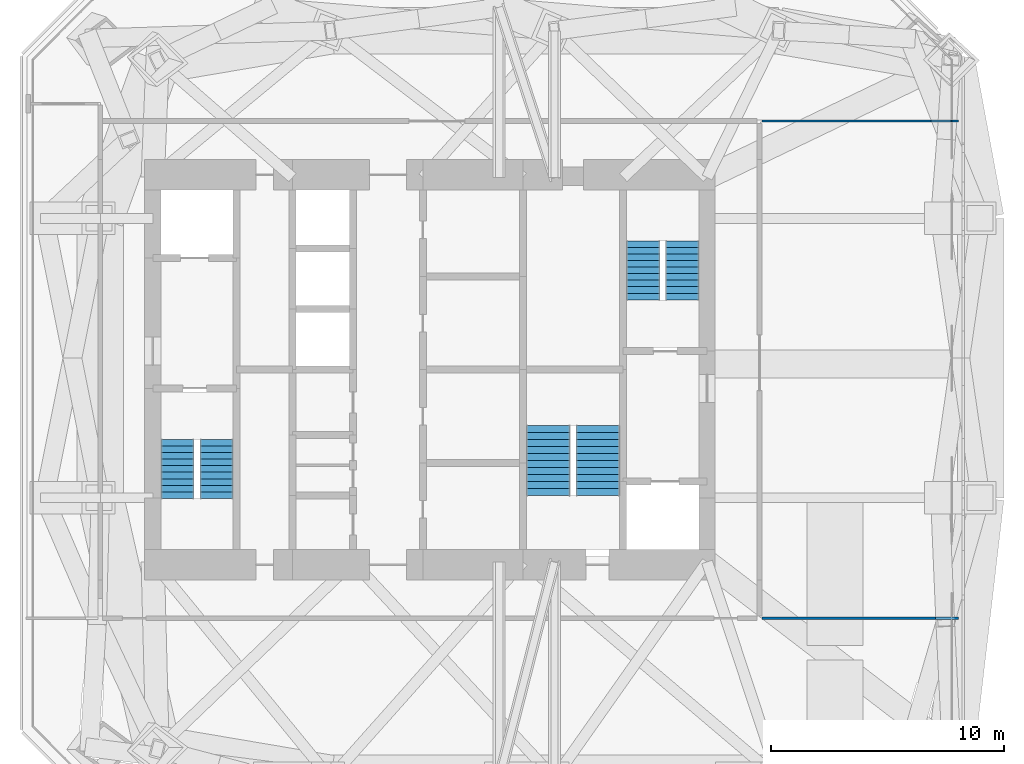
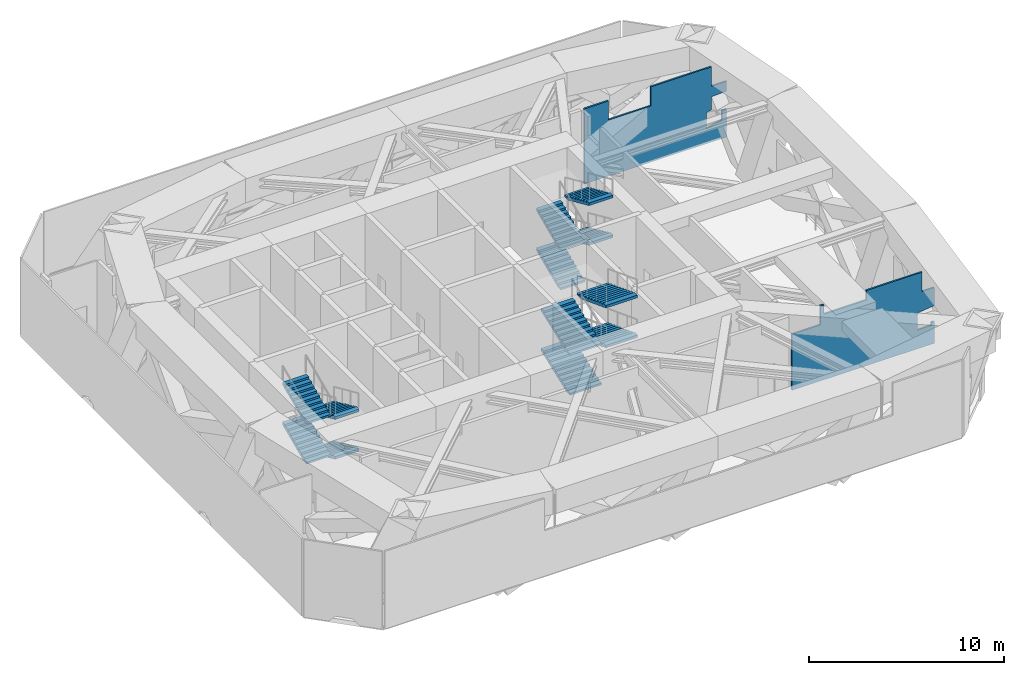
# One storey, part 6 of 9: 12 stair flights, 2 walls, 3 elements without a shape of their own.
"""IFC4 building model written with IfcOpenShell, lengths in metres."""

from ifc_helpers import new_model, si_unit, direction, frame, origin, place, context, subcontext, project, spatial, polyline, outline, extrude, material, constituent, constituent_set, type_object, element, aggregate, save


model = new_model("IFC4")

# Units and contexts
model_context = context("Model", 3, precision=1e-05, world=origin(), true_north=direction((0.0, 1.0)))
body_context = subcontext(model_context, "Body", "Model", "MODEL_VIEW")
ifc_project = project(units=[si_unit("LENGTHUNIT", "METRE"), si_unit("AREAUNIT", "SQUARE_METRE"), si_unit("VOLUMEUNIT", "CUBIC_METRE"), si_unit("PLANEANGLEUNIT", "RADIAN"), si_unit("MASSUNIT", "GRAM", prefix="KILO")], contexts=[model_context])

# Site, building, storey
site_placement = place(None, origin())
site = spatial("IfcSite", under=ifc_project, at=site_placement, CompositionType="ELEMENT")
building_placement = place(site_placement, origin())
building = spatial("IfcBuilding", under=site, at=building_placement, Name="Jalousie Tower", CompositionType="ELEMENT")
storey_placement = place(building_placement, frame((0.0, 0.0, 212.949951171875)))
storey = spatial("IfcBuildingStorey", under=building, at=storey_placement, Name="L58", CompositionType="ELEMENT", Elevation=212.949951171875)

# Walls
ifc_material_1 = material(Name="Gypsum board", Category="gypsum")
ifc_constituent_1 = constituent(ifc_material_1, Name="Body")
ifc_material_2 = material(Name="Light-gauge steel studs ASTM A653 SS Grade 33", Category="steel")
ifc_constituent_2 = constituent(ifc_material_2, Name="Framing")
ifc_constituent_set = constituent_set(constituents=[ifc_constituent_1, ifc_constituent_2])
wall_type = type_object("IfcWallType", Name="PARTITION 100", PredefinedType="PARTITIONING", material=ifc_constituent_set)
wall_1_placement = place(storey_placement, frame((46.14990234375, 7.824951171875, 0.0), z_axis=(0.0, 0.0, 1.0), x_axis=(1.0, 0.0, 0.0)))
element("IfcWall", 1, at=wall_1_placement, inside=storey, type_object=wall_type, Name="Partition 100 L58", PredefinedType="PARTITIONING", context=body_context, shape_type="SweptSolid", body=[
    extrude(outline(polyline([(1.70068359375, 3.52001953125), (0.0, 3.52001953125), (0.0, 0.0), (8.449951171875, 0.0), (8.449951171875, 1.3681640625), (8.2822265625, 1.3681640625), (8.2822265625, 1.244140625), (8.277099609375, 1.188232421875), (7.457275390625, 1.172119140625), (7.457275390625, 2.064697265625), (7.460205078125, 2.09814453125), (7.460205078125, 2.1064453125), (7.46142578125, 2.119384765625), (7.49169921875, 2.119873046875), (7.49169921875, 2.19873046875), (7.524169921875, 2.251953125), (8.371826171875, 2.35595703125), (8.449951171875, 2.35595703125), (8.449951171875, 3.5), (7.72998046875, 3.5), (7.72998046875, 4.719970703125), (4.409912109375, 4.719970703125), (4.409912109375, 4.1201171875), (1.889892578125, 4.1201171875), (1.889892578125, 4.719970703125), (1.70068359375, 4.719970703125), (1.70068359375, 3.52001953125)])), frame((0.0, 0.050048828125, 0.0), z_axis=(0.0, -1.0, 0.0), x_axis=(1.0, 0.0, 0.0)), (0.0, 0.0, 1.0), 0.10009765625),
])
wall_2_placement = place(storey_placement, frame((46.14990234375, 29.175048828125, 0.0), z_axis=(0.0, 0.0, 1.0), x_axis=(1.0, 0.0, 0.0)))
element("IfcWall", 2, at=wall_2_placement, inside=storey, type_object=wall_type, Name="Partition 100 L58", PredefinedType="PARTITIONING", context=body_context, shape_type="SweptSolid", body=[
    extrude(outline(polyline([(1.4375, 4.719970703125), (0.0, 4.719970703125), (0.0, 0.0), (8.449951171875, 0.0), (8.449951171875, 1.751220703125), (8.17626953125, 1.751220703125), (8.17626953125, 1.208251953125), (8.13330078125, 1.13720703125), (7.25732421875, 0.94384765625), (7.25732421875, 1.8935546875), (7.30029296875, 1.96435546875), (7.5556640625, 2.020751953125), (7.5556640625, 2.756103515625), (7.56298828125, 2.839111328125), (8.384033203125, 2.879150390625), (8.449951171875, 2.879150390625), (8.449951171875, 3.5), (7.54931640625, 3.5), (7.54931640625, 4.719970703125), (3.9541015625, 4.719970703125), (3.9541015625, 3.52001953125), (1.4375, 3.52001953125), (1.4375, 4.719970703125)])), frame((0.0, 0.050048828125, 0.0), z_axis=(0.0, -1.0, 0.0), x_axis=(1.0, 0.0, 0.0)), (0.0, 0.0, 1.0), 0.10009765625),
])

# Stair, stair flights
ifc_material_3 = material(Name="Concrete f'c 40 MPa", Category="concrete")
stair_type = type_object("IfcStairType", Name="EXIT STAIR", PredefinedType="HALF_TURN_STAIR", material=ifc_material_3)
stair_1_placement = place(storey_placement, origin())
stair_1 = element("IfcStair", 3, at=stair_1_placement, inside=storey, type_object=stair_type, Name="Exit stair A L58", PredefinedType="HALF_TURN_STAIR")
ifc_material_4 = material(Name="Concrete f'c 40 MPa", Category="concrete")
stair_flight_type = type_object("IfcStairFlightType", Name="STAIR FLIGHT", PredefinedType="STRAIGHT", material=ifc_material_4)
stair_flight_1_placement = place(storey_placement, frame((22.737548828125, 15.49755859375, 0.0), z_axis=(0.0, 0.0, 1.0), x_axis=(0.0, -1.0, 0.0)))
stair_flight_1 = element("IfcStairFlight", 4, at=stair_flight_1_placement, type_object=stair_flight_type, Name="ST-A flight 1", NumberOfRisers=10, NumberOfTreads=9, PredefinedType="STRAIGHT", RiserHeight=0.125, TreadLength=0.28, context=body_context, shape_type="SweptSolid", body=[
    extrude(outline(polyline([(0.0, 0.0), (0.0, 0.125), (0.280029296875, 0.125), (0.280029296875, 0.25), (0.56005859375, 0.25), (0.56005859375, 0.375), (0.840087890625, 0.375), (0.840087890625, 0.5), (1.1201171875, 0.5), (1.1201171875, 0.625), (1.39990234375, 0.625), (1.39990234375, 0.75), (1.679931640625, 0.75), (1.679931640625, 0.875), (1.9599609375, 0.875), (1.9599609375, 1.0), (2.239990234375, 1.0), (2.239990234375, 1.125), (2.52001953125, 1.125), (2.52001953125, 1.25), (2.52001953125, 0.9609375), (0.36767578125, 0.0), (0.0, 0.0)])), frame((0.0, 0.71240234375, 0.0), z_axis=(0.0, -1.0, 0.0), x_axis=(1.0, 0.0, 0.0)), (0.0, 0.0, 1.0), 1.425048828125),
])
stair_flight_2_placement = place(storey_placement, frame((21.0625, 12.9775390625, 1.25), z_axis=(0.0, 0.0, 1.0), x_axis=(0.0, 1.0, 0.0)))
stair_flight_2 = element("IfcStairFlight", 5, at=stair_flight_2_placement, type_object=stair_flight_type, Name="ST-A flight 2", NumberOfRisers=10, NumberOfTreads=9, PredefinedType="STRAIGHT", RiserHeight=0.125, TreadLength=0.28, context=body_context, shape_type="SweptSolid", body=[
    extrude(outline(polyline([(0.0, 0.0), (0.0, 0.125), (0.280029296875, 0.125), (0.280029296875, 0.25), (0.56005859375, 0.25), (0.56005859375, 0.375), (0.840087890625, 0.375), (0.840087890625, 0.5), (1.1201171875, 0.5), (1.1201171875, 0.625), (1.39990234375, 0.625), (1.39990234375, 0.75), (1.679931640625, 0.75), (1.679931640625, 0.875), (1.9599609375, 0.875), (1.9599609375, 1.0), (2.239990234375, 1.0), (2.239990234375, 1.125), (2.52001953125, 1.125), (2.52001953125, 1.25), (2.52001953125, 0.9609375), (0.36767578125, 0.0), (0.0, 0.0)])), frame((0.0, 0.71240234375, 0.0), z_axis=(0.0, -1.0, 0.0), x_axis=(1.0, 0.0, 0.0)), (0.0, 0.0, 1.0), 1.425048828125),
])
stair_flight_3_placement = place(storey_placement, frame((22.737548828125, 15.49755859375, 2.5), z_axis=(0.0, 0.0, 1.0), x_axis=(0.0, -1.0, 0.0)))
stair_flight_3 = element("IfcStairFlight", 6, at=stair_flight_3_placement, type_object=stair_flight_type, Name="ST-A flight 3", NumberOfRisers=10, NumberOfTreads=9, PredefinedType="STRAIGHT", RiserHeight=0.125, TreadLength=0.28, context=body_context, shape_type="SweptSolid", body=[
    extrude(outline(polyline([(0.0, 0.0), (0.0, 0.125), (0.280029296875, 0.125), (0.280029296875, 0.25), (0.56005859375, 0.25), (0.56005859375, 0.375), (0.840087890625, 0.375), (0.840087890625, 0.5), (1.1201171875, 0.5), (1.1201171875, 0.625), (1.39990234375, 0.625), (1.39990234375, 0.75), (1.679931640625, 0.75), (1.679931640625, 0.875), (1.9599609375, 0.875), (1.9599609375, 1.0), (2.239990234375, 1.0), (2.239990234375, 1.125), (2.52001953125, 1.125), (2.52001953125, 1.25), (2.52001953125, 0.9609375), (0.36767578125, 0.0), (0.0, 0.0)])), frame((0.0, 0.71240234375, 0.0), z_axis=(0.0, -1.0, 0.0), x_axis=(1.0, 0.0, 0.0)), (0.0, 0.0, 1.0), 1.425048828125),
])
stair_flight_4_placement = place(storey_placement, frame((21.0625, 12.9775390625, 3.75), z_axis=(0.0, 0.0, 1.0), x_axis=(0.0, 1.0, 0.0)))
stair_flight_4 = element("IfcStairFlight", 7, at=stair_flight_4_placement, type_object=stair_flight_type, Name="ST-A flight 4", NumberOfRisers=10, NumberOfTreads=9, PredefinedType="STRAIGHT", RiserHeight=0.125, TreadLength=0.28, context=body_context, shape_type="SweptSolid", body=[
    extrude(outline(polyline([(0.0, 0.0), (0.0, 0.125), (0.280029296875, 0.125), (0.280029296875, 0.25), (0.56005859375, 0.25), (0.56005859375, 0.375), (0.840087890625, 0.375), (0.840087890625, 0.5), (1.1201171875, 0.5), (1.1201171875, 0.625), (1.39990234375, 0.625), (1.39990234375, 0.75), (1.679931640625, 0.75), (1.679931640625, 0.875), (1.9599609375, 0.875), (1.9599609375, 1.0), (2.239990234375, 1.0), (2.239990234375, 1.125), (2.52001953125, 1.125), (2.52001953125, 1.25), (2.52001953125, 0.9609375), (0.36767578125, 0.0), (0.0, 0.0)])), frame((0.0, 0.71240234375, 0.0), z_axis=(0.0, -1.0, 0.0), x_axis=(1.0, 0.0, 0.0)), (0.0, 0.0, 1.0), 1.425048828125),
])
aggregate(stair_1, [stair_flight_1, stair_flight_2, stair_flight_3, stair_flight_4])

stair_2_placement = place(storey_placement, origin())
stair_2 = element("IfcStair", 8, at=stair_2_placement, inside=storey, type_object=stair_type, Name="Exit stair B L58", PredefinedType="HALF_TURN_STAIR")
stair_flight_5_placement = place(storey_placement, frame((41.0625, 21.50244140625, 0.0), z_axis=(0.0, 0.0, 1.0), x_axis=(0.0, 1.0, 0.0)))
stair_flight_5 = element("IfcStairFlight", 9, at=stair_flight_5_placement, type_object=stair_flight_type, Name="ST-B flight 1", NumberOfRisers=10, NumberOfTreads=9, PredefinedType="STRAIGHT", RiserHeight=0.125, TreadLength=0.28, context=body_context, shape_type="SweptSolid", body=[
    extrude(outline(polyline([(0.0, 0.0), (0.0, 0.125), (0.280029296875, 0.125), (0.280029296875, 0.25), (0.56005859375, 0.25), (0.56005859375, 0.375), (0.840087890625, 0.375), (0.840087890625, 0.5), (1.1201171875, 0.5), (1.1201171875, 0.625), (1.39990234375, 0.625), (1.39990234375, 0.75), (1.679931640625, 0.75), (1.679931640625, 0.875), (1.9599609375, 0.875), (1.9599609375, 1.0), (2.239990234375, 1.0), (2.239990234375, 1.125), (2.52001953125, 1.125), (2.52001953125, 1.25), (2.52001953125, 0.9609375), (0.36767578125, 0.0), (0.0, 0.0)])), frame((0.0, 0.71240234375, 0.0), z_axis=(0.0, -1.0, 0.0), x_axis=(1.0, 0.0, 0.0)), (0.0, 0.0, 1.0), 1.425048828125),
])
stair_flight_6_placement = place(storey_placement, frame((42.737548828125, 24.0224609375, 1.25), z_axis=(0.0, 0.0, 1.0), x_axis=(0.0, -1.0, 0.0)))
stair_flight_6 = element("IfcStairFlight", 10, at=stair_flight_6_placement, type_object=stair_flight_type, Name="ST-B flight 2", NumberOfRisers=10, NumberOfTreads=9, PredefinedType="STRAIGHT", RiserHeight=0.125, TreadLength=0.28, context=body_context, shape_type="SweptSolid", body=[
    extrude(outline(polyline([(0.0, 0.0), (0.0, 0.125), (0.280029296875, 0.125), (0.280029296875, 0.25), (0.56005859375, 0.25), (0.56005859375, 0.375), (0.840087890625, 0.375), (0.840087890625, 0.5), (1.1201171875, 0.5), (1.1201171875, 0.625), (1.39990234375, 0.625), (1.39990234375, 0.75), (1.679931640625, 0.75), (1.679931640625, 0.875), (1.9599609375, 0.875), (1.9599609375, 1.0), (2.239990234375, 1.0), (2.239990234375, 1.125), (2.52001953125, 1.125), (2.52001953125, 1.25), (2.52001953125, 0.9609375), (0.36767578125, 0.0), (0.0, 0.0)])), frame((0.0, 0.71240234375, 0.0), z_axis=(0.0, -1.0, 0.0), x_axis=(1.0, 0.0, 0.0)), (0.0, 0.0, 1.0), 1.425048828125),
])
stair_flight_7_placement = place(storey_placement, frame((41.0625, 21.50244140625, 2.5), z_axis=(0.0, 0.0, 1.0), x_axis=(0.0, 1.0, 0.0)))
stair_flight_7 = element("IfcStairFlight", 11, at=stair_flight_7_placement, type_object=stair_flight_type, Name="ST-B flight 3", NumberOfRisers=10, NumberOfTreads=9, PredefinedType="STRAIGHT", RiserHeight=0.125, TreadLength=0.28, context=body_context, shape_type="SweptSolid", body=[
    extrude(outline(polyline([(0.0, 0.0), (0.0, 0.125), (0.280029296875, 0.125), (0.280029296875, 0.25), (0.56005859375, 0.25), (0.56005859375, 0.375), (0.840087890625, 0.375), (0.840087890625, 0.5), (1.1201171875, 0.5), (1.1201171875, 0.625), (1.39990234375, 0.625), (1.39990234375, 0.75), (1.679931640625, 0.75), (1.679931640625, 0.875), (1.9599609375, 0.875), (1.9599609375, 1.0), (2.239990234375, 1.0), (2.239990234375, 1.125), (2.52001953125, 1.125), (2.52001953125, 1.25), (2.52001953125, 0.9609375), (0.36767578125, 0.0), (0.0, 0.0)])), frame((0.0, 0.71240234375, 0.0), z_axis=(0.0, -1.0, 0.0), x_axis=(1.0, 0.0, 0.0)), (0.0, 0.0, 1.0), 1.425048828125),
])
stair_flight_8_placement = place(storey_placement, frame((42.737548828125, 24.0224609375, 3.75), z_axis=(0.0, 0.0, 1.0), x_axis=(0.0, -1.0, 0.0)))
stair_flight_8 = element("IfcStairFlight", 12, at=stair_flight_8_placement, type_object=stair_flight_type, Name="ST-B flight 4", NumberOfRisers=10, NumberOfTreads=9, PredefinedType="STRAIGHT", RiserHeight=0.125, TreadLength=0.28, context=body_context, shape_type="SweptSolid", body=[
    extrude(outline(polyline([(0.0, 0.0), (0.0, 0.125), (0.280029296875, 0.125), (0.280029296875, 0.25), (0.56005859375, 0.25), (0.56005859375, 0.375), (0.840087890625, 0.375), (0.840087890625, 0.5), (1.1201171875, 0.5), (1.1201171875, 0.625), (1.39990234375, 0.625), (1.39990234375, 0.75), (1.679931640625, 0.75), (1.679931640625, 0.875), (1.9599609375, 0.875), (1.9599609375, 1.0), (2.239990234375, 1.0), (2.239990234375, 1.125), (2.52001953125, 1.125), (2.52001953125, 1.25), (2.52001953125, 0.9609375), (0.36767578125, 0.0), (0.0, 0.0)])), frame((0.0, 0.71240234375, 0.0), z_axis=(0.0, -1.0, 0.0), x_axis=(1.0, 0.0, 0.0)), (0.0, 0.0, 1.0), 1.425048828125),
])
aggregate(stair_2, [stair_flight_5, stair_flight_6, stair_flight_7, stair_flight_8])

stair_3_placement = place(storey_placement, origin())
stair_3 = element("IfcStair", 13, at=stair_3_placement, inside=storey, type_object=stair_type, Name="Exit stair C L58", PredefinedType="HALF_TURN_STAIR")
stair_flight_9_placement = place(storey_placement, frame((36.987548828125, 13.097412109375, 0.0), z_axis=(0.0, 0.0, 1.0), x_axis=(0.0, 1.0, 0.0)))
stair_flight_9 = element("IfcStairFlight", 14, at=stair_flight_9_placement, type_object=stair_flight_type, Name="ST-C flight 1", NumberOfRisers=11, NumberOfTreads=10, PredefinedType="STRAIGHT", RiserHeight=0.113636364, TreadLength=0.3, context=body_context, shape_type="SweptSolid", body=[
    extrude(outline(polyline([(0.0, 0.0), (0.0, 0.113525390625), (0.300048828125, 0.113525390625), (0.300048828125, 0.227294921875), (0.60009765625, 0.227294921875), (0.60009765625, 0.3408203125), (0.89990234375, 0.3408203125), (0.89990234375, 0.45458984375), (1.199951171875, 0.45458984375), (1.199951171875, 0.568115234375), (1.5, 0.568115234375), (1.5, 0.681884765625), (1.800048828125, 0.681884765625), (1.800048828125, 0.79541015625), (2.10009765625, 0.79541015625), (2.10009765625, 0.9091796875), (2.39990234375, 0.9091796875), (2.39990234375, 1.022705078125), (2.699951171875, 1.022705078125), (2.699951171875, 1.136474609375), (3.0, 1.136474609375), (3.0, 1.25), (3.0, 0.97607421875), (0.423095703125, 0.0), (0.0, 0.0)])), frame((0.0, 0.9375, 0.0), z_axis=(0.0, -1.0, 0.0), x_axis=(1.0, 0.0, 0.0)), (0.0, 0.0, 1.0), 1.875),
])
stair_flight_10_placement = place(storey_placement, frame((39.112548828125, 16.097412109375, 1.25), z_axis=(0.0, 0.0, 1.0), x_axis=(0.0, -1.0, 0.0)))
stair_flight_10 = element("IfcStairFlight", 15, at=stair_flight_10_placement, type_object=stair_flight_type, Name="ST-C flight 2", NumberOfRisers=11, NumberOfTreads=10, PredefinedType="STRAIGHT", RiserHeight=0.113636364, TreadLength=0.3, context=body_context, shape_type="SweptSolid", body=[
    extrude(outline(polyline([(0.0, 0.0), (0.0, 0.113525390625), (0.300048828125, 0.113525390625), (0.300048828125, 0.227294921875), (0.60009765625, 0.227294921875), (0.60009765625, 0.3408203125), (0.89990234375, 0.3408203125), (0.89990234375, 0.45458984375), (1.199951171875, 0.45458984375), (1.199951171875, 0.568115234375), (1.5, 0.568115234375), (1.5, 0.681884765625), (1.800048828125, 0.681884765625), (1.800048828125, 0.79541015625), (2.10009765625, 0.79541015625), (2.10009765625, 0.9091796875), (2.39990234375, 0.9091796875), (2.39990234375, 1.022705078125), (2.699951171875, 1.022705078125), (2.699951171875, 1.136474609375), (3.0, 1.136474609375), (3.0, 1.25), (3.0, 0.97607421875), (0.423095703125, 0.0), (0.0, 0.0)])), frame((0.0, 0.9375, 0.0), z_axis=(0.0, -1.0, 0.0), x_axis=(1.0, 0.0, 0.0)), (0.0, 0.0, 1.0), 1.875),
])
stair_flight_11_placement = place(storey_placement, frame((36.987548828125, 13.097412109375, 2.5), z_axis=(0.0, 0.0, 1.0), x_axis=(0.0, 1.0, 0.0)))
stair_flight_11 = element("IfcStairFlight", 16, at=stair_flight_11_placement, type_object=stair_flight_type, Name="ST-C flight 3", NumberOfRisers=11, NumberOfTreads=10, PredefinedType="STRAIGHT", RiserHeight=0.113636364, TreadLength=0.3, context=body_context, shape_type="SweptSolid", body=[
    extrude(outline(polyline([(0.0, 0.0), (0.0, 0.113525390625), (0.300048828125, 0.113525390625), (0.300048828125, 0.227294921875), (0.60009765625, 0.227294921875), (0.60009765625, 0.3408203125), (0.89990234375, 0.3408203125), (0.89990234375, 0.45458984375), (1.199951171875, 0.45458984375), (1.199951171875, 0.568115234375), (1.5, 0.568115234375), (1.5, 0.681884765625), (1.800048828125, 0.681884765625), (1.800048828125, 0.79541015625), (2.10009765625, 0.79541015625), (2.10009765625, 0.9091796875), (2.39990234375, 0.9091796875), (2.39990234375, 1.022705078125), (2.699951171875, 1.022705078125), (2.699951171875, 1.136474609375), (3.0, 1.136474609375), (3.0, 1.25), (3.0, 0.97607421875), (0.423095703125, 0.0), (0.0, 0.0)])), frame((0.0, 0.9375, 0.0), z_axis=(0.0, -1.0, 0.0), x_axis=(1.0, 0.0, 0.0)), (0.0, 0.0, 1.0), 1.875),
])
stair_flight_12_placement = place(storey_placement, frame((39.112548828125, 16.097412109375, 3.75), z_axis=(0.0, 0.0, 1.0), x_axis=(0.0, -1.0, 0.0)))
stair_flight_12 = element("IfcStairFlight", 17, at=stair_flight_12_placement, type_object=stair_flight_type, Name="ST-C flight 4", NumberOfRisers=11, NumberOfTreads=10, PredefinedType="STRAIGHT", RiserHeight=0.113636364, TreadLength=0.3, context=body_context, shape_type="SweptSolid", body=[
    extrude(outline(polyline([(0.0, 0.0), (0.0, 0.113525390625), (0.300048828125, 0.113525390625), (0.300048828125, 0.227294921875), (0.60009765625, 0.227294921875), (0.60009765625, 0.3408203125), (0.89990234375, 0.3408203125), (0.89990234375, 0.45458984375), (1.199951171875, 0.45458984375), (1.199951171875, 0.568115234375), (1.5, 0.568115234375), (1.5, 0.681884765625), (1.800048828125, 0.681884765625), (1.800048828125, 0.79541015625), (2.10009765625, 0.79541015625), (2.10009765625, 0.9091796875), (2.39990234375, 0.9091796875), (2.39990234375, 1.022705078125), (2.699951171875, 1.022705078125), (2.699951171875, 1.136474609375), (3.0, 1.136474609375), (3.0, 1.25), (3.0, 0.97607421875), (0.423095703125, 0.0), (0.0, 0.0)])), frame((0.0, 0.9375, 0.0), z_axis=(0.0, -1.0, 0.0), x_axis=(1.0, 0.0, 0.0)), (0.0, 0.0, 1.0), 1.875),
])
aggregate(stair_3, [stair_flight_9, stair_flight_10, stair_flight_11, stair_flight_12])

save(model, "model.ifc")
